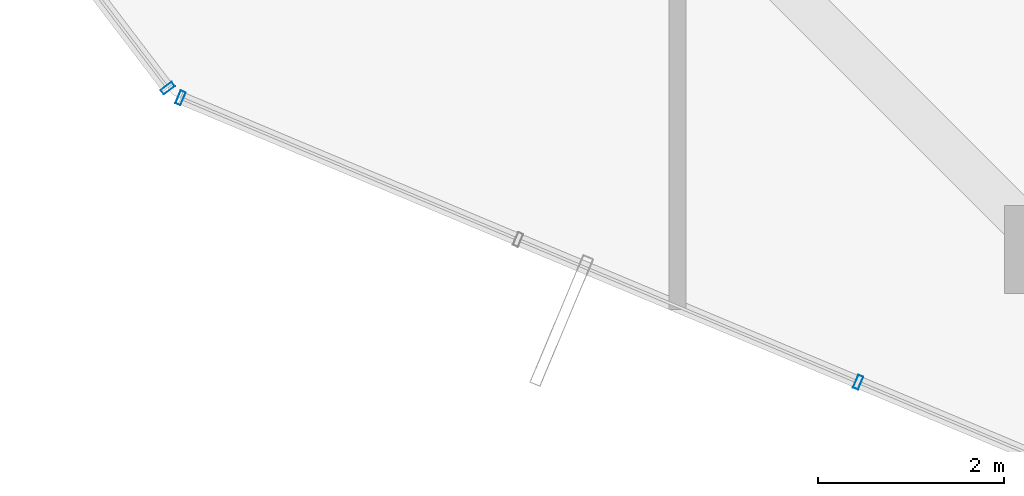
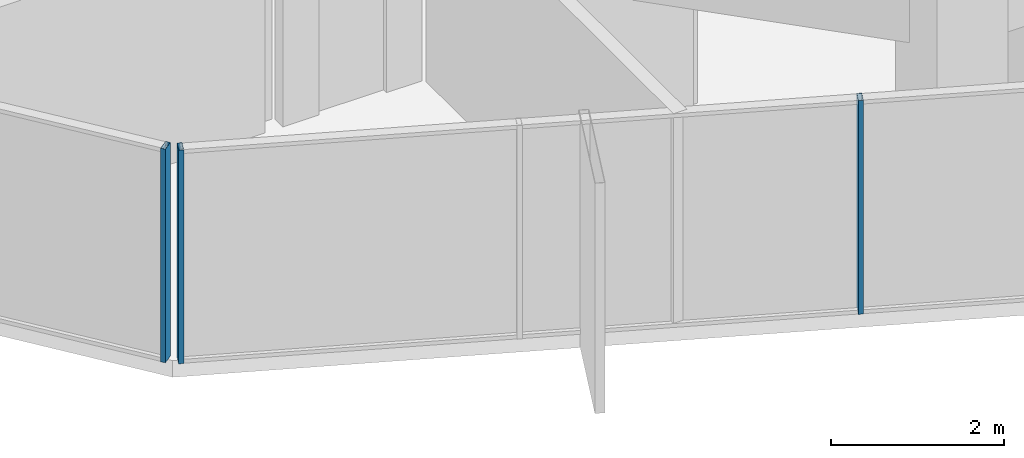
# One storey, part 2 of 32: 3 members, 2 elements without a shape of their own.
"""IFC4 building model written with IfcOpenShell, lengths in metres."""

from ifc_helpers import new_model, si_unit, direction, frame, origin, origin_2d, place, context, subcontext, project, spatial, hollow_rectangle, extrude, source, transform, mapped, material, layer, layer_set, material_profile, profile_set, type_object, element, aggregate, save


model = new_model("IFC4")

# Units and contexts
model_context = context("Model", 3, precision=1e-05, world=origin(), true_north=direction((0.0, 1.0)))
body_context = subcontext(model_context, "Body", "Model", "MODEL_VIEW")
ifc_project = project(units=[si_unit("LENGTHUNIT", "METRE"), si_unit("AREAUNIT", "SQUARE_METRE"), si_unit("VOLUMEUNIT", "CUBIC_METRE"), si_unit("PLANEANGLEUNIT", "RADIAN"), si_unit("MASSUNIT", "GRAM", prefix="KILO")], contexts=[model_context])

# Site, building, storey
site_placement = place(None, origin())
site = spatial("IfcSite", under=ifc_project, at=site_placement, CompositionType="ELEMENT")
building_placement = place(site_placement, origin())
building = spatial("IfcBuilding", under=site, at=building_placement, Name="Veraguas Prism Commons", CompositionType="ELEMENT")
storey_placement = place(building_placement, frame((0.0, 0.0, 182.10009765625)))
storey = spatial("IfcBuildingStorey", under=building, at=storey_placement, Name="L51", CompositionType="ELEMENT", Elevation=182.10009765625)

# Curtain wall, members
ifc_material = material(Name="Anodised aluminium EN AW-6063 T6", Category="aluminium")
ifc_layer = layer(ifc_material, 0.14990234375, Name="Unitised Flush Curtain Wall Zone 3", Category="aluminium")
ifc_layer_set = layer_set([ifc_layer], Name="Anodised aluminium EN AW-6063 T6")
curtain_wall_type = type_object("IfcCurtainWallType", Name="Unitised Flush Curtain Wall Zone 3", PredefinedType="NOTDEFINED", material=ifc_layer_set)
curtain_wall_1_placement = place(storey_placement, origin())
curtain_wall_1 = element("IfcCurtainWall", 1, at=curtain_wall_1_placement, inside=storey, type_object=curtain_wall_type, Name="Tower Facade Curtain Wall L51-F4", PredefinedType="NOTDEFINED")
ifc_material_profile = material_profile(ifc_material, hollow_rectangle(XDim=0.06005859375, YDim=0.14990234375, WallThickness=0.0029296875, at=origin_2d()), Name="AL60X150X3")
ifc_profile_set = profile_set([ifc_material_profile], Name="Anodised aluminium EN AW-6063 T6")
member_type = type_object("IfcMemberType", Name="Curtain Wall Mullion Upper AL 60x150x3", PredefinedType="MULLION", material=ifc_profile_set)
shared_shape = source(origin(), body_context, "Body", "SweptSolid", [
    extrude(hollow_rectangle(XDim=0.06005859375, YDim=0.14990234375, WallThickness=0.0029296875, at=origin_2d()), origin(), (0.0, 0.0, 1.0), 3.014892578125),
])
member_1_placement = place(storey_placement, frame((9.843994140625, 10.7333984375, 0.0), z_axis=(0.0, 0.0, 1.0), x_axis=(0.922134139047, -0.386870300752, 0.0)))
member_1 = element("IfcMember", 2, at=member_1_placement, type_object=member_type, Name="CW-Z3 Mullion 1", PredefinedType="MULLION", context=body_context, shape_type="MappedRepresentation", body=[
    mapped(shared_shape, transform((0.0, 0.0, 0.0), scale=1.0)),
])
member_2_placement = place(storey_placement, frame((17.1484375, 7.668701171875, 0.0), z_axis=(0.0, 0.0, 1.0), x_axis=(0.922134139047, -0.386870300752, 0.0)))
member_2 = element("IfcMember", 3, at=member_2_placement, type_object=member_type, Name="CW-Z3 Mullion 3", PredefinedType="MULLION", context=body_context, shape_type="MappedRepresentation", body=[
    mapped(shared_shape, transform((0.0, 0.0, 0.0), scale=1.0)),
])
aggregate(curtain_wall_1, [member_1, member_2])

# Curtain wall, member
curtain_wall_2_placement = place(storey_placement, origin())
curtain_wall_2 = element("IfcCurtainWall", 4, at=curtain_wall_2_placement, inside=storey, type_object=curtain_wall_type, Name="Chamfer Curtain Wall L51-C4", PredefinedType="NOTDEFINED")
member_3_placement = place(storey_placement, frame((9.70654296875, 10.83984375, 0.0), z_axis=(0.0, 0.0, 1.0), x_axis=(0.605164776511, -0.796100240718, 0.0)))
member_3 = element("IfcMember", 5, at=member_3_placement, type_object=member_type, Name="CW-Z3 Mullion 2", PredefinedType="MULLION", context=body_context, shape_type="MappedRepresentation", body=[
    mapped(shared_shape, transform((0.0, 0.0, 0.0), scale=1.0)),
])
aggregate(curtain_wall_2, [member_3])

save(model, "model.ifc")
